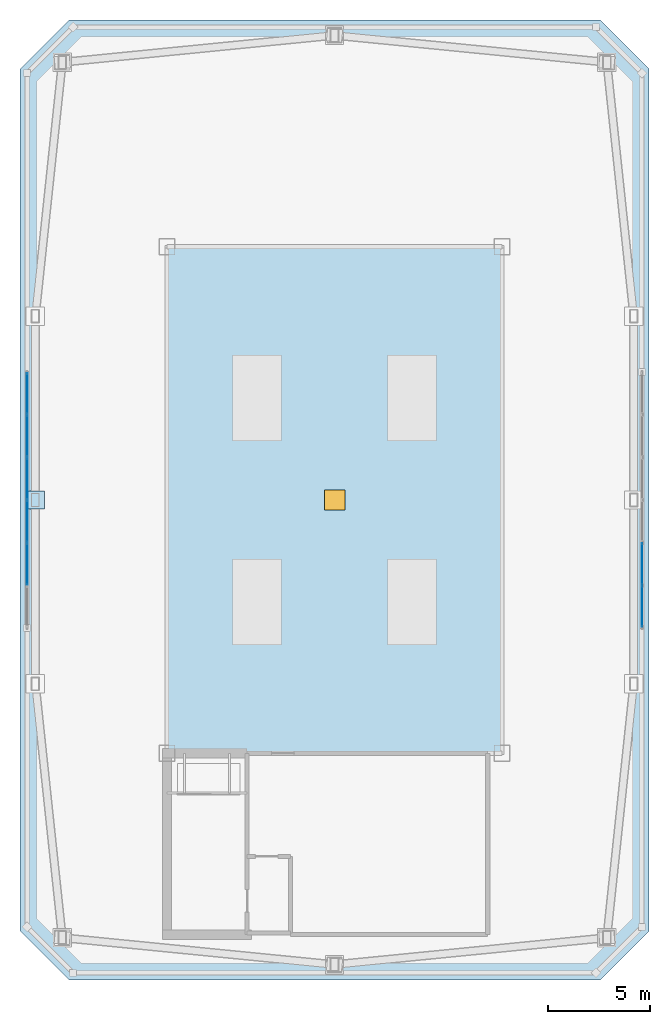
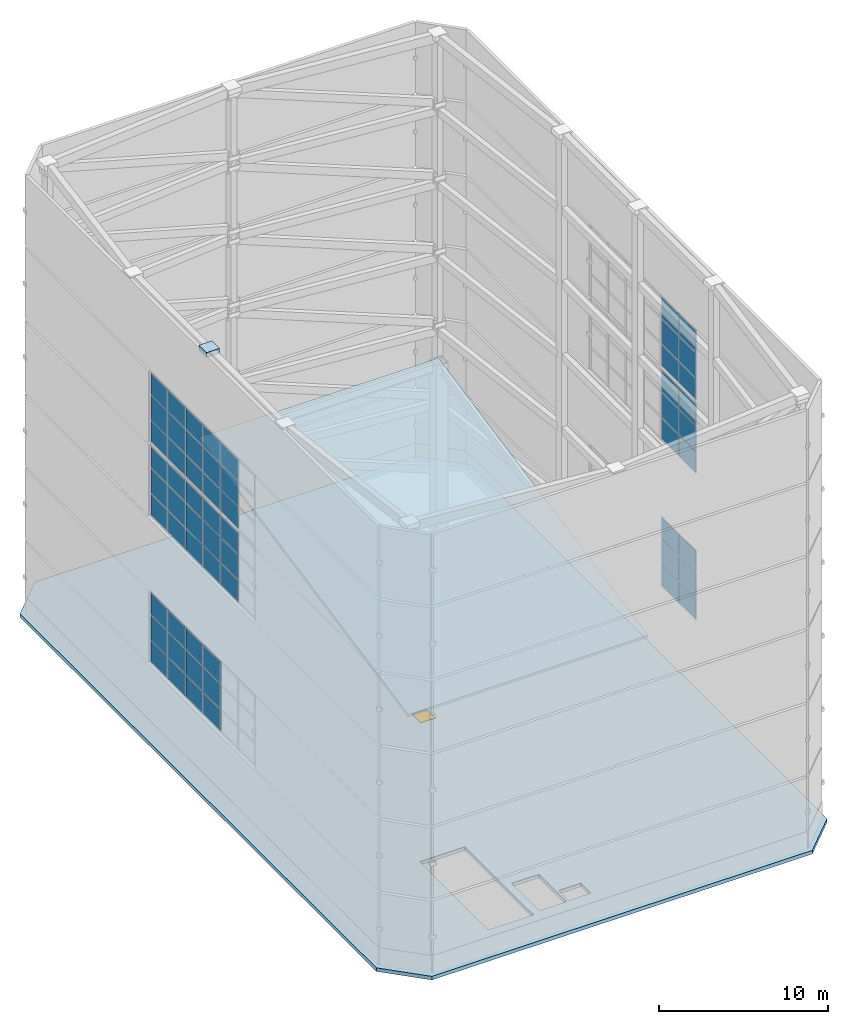
# One storey, part 44 of 47: 61 plates, 2 slabs, 1 door, 1 opening, 6 elements without a shape of their own.
"""IFC4 building model written with IfcOpenShell, lengths in metres."""

import ifcopenshell
import ifcopenshell.guid

model = None  # the IFC model being written
_history = None  # IfcOwnerHistory: only IFC2X3 demands one
_inside = {}  # id of a spatial element -> (the spatial element, [elements in it])
_under = {}  # id of a project, library or spatial element -> (it, [spatial elements below it])
_declared = {}  # id of a project -> (the project, [libraries it declares])
_typed = {}  # id of a type object -> (the type object, [elements of that type])
_made_of = {}  # id of a material, layer set ... -> (it, [elements and type objects made of it])


def new_model(schema):
    """Start an empty IFC model of exactly this schema.

    Asked for "IFC4X3", IfcOpenShell would pick the latest addendum, in which some entities
    have other attributes; the version numbers below select the first issue.
    IFC2X3 requires an IfcOwnerHistory on every rooted entity: one is made here for all.
    """
    global model, _history
    if schema == "IFC4X3":
        model = ifcopenshell.file(schema_version=(4, 3, 0, 0))
    else:
        model = ifcopenshell.file(schema=schema)
    _inside.clear()
    _under.clear()
    _declared.clear()
    _typed.clear()
    _made_of.clear()
    _history = None
    if model.schema == "IFC2X3":
        org = make("IfcOrganization", Name="unknown")
        user = make(
            "IfcPersonAndOrganization",
            ThePerson=make("IfcPerson", FamilyName="unknown"),
            TheOrganization=org,
        )
        app = make(
            "IfcApplication",
            ApplicationDeveloper=org,
            Version="unknown",
            ApplicationFullName="unknown",
            ApplicationIdentifier="unknown",
        )
        _history = make(
            "IfcOwnerHistory",
            OwningUser=user,
            OwningApplication=app,
            ChangeAction="ADDED",
            CreationDate=0,
        )
    return model


def make(cls, **values):
    """One entity of the class cls with the attributes given. An attribute that is None is left unset."""
    return model.create_entity(
        cls, **{name: value for name, value in values.items() if value is not None}
    )


def rooted(cls, **values):
    """An entity with a GlobalId (a new one), such as an element, a storey or a relation."""
    return make(cls, GlobalId=ifcopenshell.guid.new(), OwnerHistory=_history, **values)


def si_unit(unit_type, name, prefix=None):
    """IfcSIUnit, for example si_unit("LENGTHUNIT", "METRE", prefix="MILLI")."""
    return make("IfcSIUnit", UnitType=unit_type, Prefix=prefix, Name=name)


def assignment(units):
    """IfcUnitAssignment: the units of a project."""
    return None if units is None else make("IfcUnitAssignment", Units=units)


def point(xyz):
    """IfcCartesianPoint."""
    return None if xyz is None else make("IfcCartesianPoint", Coordinates=xyz)


def direction(xyz):
    """IfcDirection."""
    return None if xyz is None else make("IfcDirection", DirectionRatios=xyz)


def frame(location, z_axis=None, x_axis=None):
    """IfcAxis2Placement3D, a coordinate frame: its origin and axes. An axis left out is left unset."""
    return make(
        "IfcAxis2Placement3D",
        Location=point(location),
        Axis=direction(z_axis),
        RefDirection=direction(x_axis),
    )


def frame_2d(location, x_axis=None):
    """IfcAxis2Placement2D, a coordinate frame in the plane: its origin and x axis."""
    return make(
        "IfcAxis2Placement2D", Location=point(location), RefDirection=direction(x_axis)
    )


def origin():
    """The frame at (0, 0, 0) with its axes left unset."""
    return frame((0.0, 0.0, 0.0))


def origin_2d():
    """The frame at (0, 0) in the plane with its x axis left unset."""
    return frame_2d((0.0, 0.0))


def place(relative_to, where):
    """IfcLocalPlacement: puts the frame where relative to a parent placement (None: the world)."""
    return make(
        "IfcLocalPlacement", PlacementRelTo=relative_to, RelativePlacement=where
    )


def context(
    kind, dimensions, precision=None, world=None, true_north=None, identifier=None
):
    """IfcGeometricRepresentationContext, for example the 3D "Model" context."""
    return make(
        "IfcGeometricRepresentationContext",
        ContextIdentifier=identifier,
        ContextType=kind,
        CoordinateSpaceDimension=dimensions,
        Precision=precision,
        WorldCoordinateSystem=world,
        TrueNorth=true_north,
    )


def subcontext(parent, identifier, kind, view, scale=None):
    """IfcGeometricRepresentationSubContext, for example "Body" below "Model"."""
    return make(
        "IfcGeometricRepresentationSubContext",
        ContextIdentifier=identifier,
        ContextType=kind,
        ParentContext=parent,
        TargetScale=scale,
        TargetView=view,
    )


def project(units=None, contexts=None):
    """IfcProject with its units and contexts."""
    return rooted(
        "IfcProject",
        Name="project",
        RepresentationContexts=contexts,
        UnitsInContext=assignment(units),
    )


def spatial(cls, under=None, at=None, **own):
    """A site, building, storey or space (cls), placed at a placement, below another one or the project."""
    s = rooted(cls, ObjectPlacement=at, **own)
    if under is not None:
        _under.setdefault(under.id(), (under, []))[1].append(s)
    return s


def polyline(points):
    """IfcPolyline through the points."""
    return make("IfcPolyline", Points=[point(p) for p in points])


def profile(cls, at=None, kind="AREA", **sizes):
    """A parametric profile (cls). Its sizes go by their IFC names, for example OverallWidth=200.0."""
    return make(cls, ProfileType=kind, Position=at, **sizes)


def rectangle(**sizes):
    """IfcRectangleProfileDef."""
    return profile("IfcRectangleProfileDef", **sizes)


def outline(outer, holes=None, kind="AREA"):
    """IfcArbitraryClosedProfileDef: a profile drawn as a closed curve; with holes, ...WithVoids."""
    if holes is None:
        return make("IfcArbitraryClosedProfileDef", ProfileType=kind, OuterCurve=outer)
    return make(
        "IfcArbitraryProfileDefWithVoids",
        ProfileType=kind,
        OuterCurve=outer,
        InnerCurves=holes,
    )


def extrude(swept, where, along, depth):
    """IfcExtrudedAreaSolid: the profile swept, set in the frame where, extruded along a direction by depth."""
    return make(
        "IfcExtrudedAreaSolid",
        SweptArea=swept,
        Position=where,
        ExtrudedDirection=direction(along),
        Depth=depth,
    )


def shape(context_of_items, identifier, shape_type, items):
    """IfcShapeRepresentation: the items that make up one representation, for example the "Body"."""
    return make(
        "IfcShapeRepresentation",
        ContextOfItems=context_of_items,
        RepresentationIdentifier=identifier,
        RepresentationType=shape_type,
        Items=items,
    )


def material(Name=None, Category=None):
    """IfcMaterial."""
    return make("IfcMaterial", Name=Name, Category=Category)


def layer(
    of_material, thickness, ventilated=None, Name=None, Category=None, Priority=None
):
    """IfcMaterialLayer: one layer of a wall or slab, of a material (None: an air gap)."""
    return make(
        "IfcMaterialLayer",
        Material=of_material,
        LayerThickness=thickness,
        IsVentilated=ventilated,
        Name=Name,
        Category=Category,
        Priority=Priority,
    )


def layer_set(layers, Name=None):
    """IfcMaterialLayerSet."""
    return make("IfcMaterialLayerSet", MaterialLayers=layers, LayerSetName=Name)


def made_of(thing, what):
    """Note that an element or type object is made of a material, layer set ...; save() writes the relation."""
    if what is not None:
        _made_of.setdefault(what.id(), (what, []))[1].append(thing)
    return thing


def type_object(cls, material=None, **own):
    """A type object (cls), such as IfcWallType, which elements share."""
    return made_of(rooted(cls, **own), material)


def element(
    cls,
    number,
    at=None,
    inside=None,
    cuts=None,
    type_object=None,
    material=None,
    context=None,
    identifier="Body",
    shape_type=None,
    held_by="IfcProductDefinitionShape",
    body=None,
    shapes=None,
    **own,
):
    """One element of the class cls, such as IfcWall. Its Tag is "e" and its number.

    at: its placement. inside: the storey or other place that contains it. cuts: it is an
    opening in that element (IfcRelVoidsElement). A single representation is given by context,
    identifier, shape_type and body (its items); several are given by shapes. held_by: the class
    of the entity that holds the representations. save() writes the other relations.
    """
    e = rooted(cls, Tag="e%d" % number, ObjectPlacement=at, **own)
    if body is not None:
        shapes = [shape(context, identifier, shape_type, body)]
    if shapes is not None:
        e.Representation = make(held_by, Representations=shapes)
    if inside is not None:
        _inside.setdefault(inside.id(), (inside, []))[1].append(e)
    if cuts is not None:
        rooted(
            "IfcRelVoidsElement", RelatingBuildingElement=cuts, RelatedOpeningElement=e
        )
    if type_object is not None:
        _typed.setdefault(type_object.id(), (type_object, []))[1].append(e)
    return made_of(e, material)


def fill(opening, filler):
    """IfcRelFillsElement: the door or window that sits in an opening."""
    return rooted(
        "IfcRelFillsElement",
        RelatingOpeningElement=opening,
        RelatedBuildingElement=filler,
    )


def aggregate(whole, parts):
    """IfcRelAggregates: a whole, such as a stair, and the parts it consists of."""
    return rooted("IfcRelAggregates", RelatingObject=whole, RelatedObjects=parts)


def save(model, path):
    """Write the relations noted so far, then the file.

    IfcRelAggregates (storeys below a building ...), IfcRelContainedInSpatialStructure (elements
    in a storey), IfcRelDefinesByType, IfcRelAssociatesMaterial and IfcRelDeclares: one each for
    every whole, place, type object, material and project.
    """
    for whole, parts in _under.values():
        aggregate(whole, parts)
    for where, things in _inside.values():
        rooted(
            "IfcRelContainedInSpatialStructure",
            RelatedElements=things,
            RelatingStructure=where,
        )
    for kind, things in _typed.values():
        rooted("IfcRelDefinesByType", RelatedObjects=things, RelatingType=kind)
    for what, things in _made_of.values():
        rooted("IfcRelAssociatesMaterial", RelatedObjects=things, RelatingMaterial=what)
    for by, libraries in _declared.values():
        rooted("IfcRelDeclares", RelatingContext=by, RelatedDefinitions=libraries)
    model.write(path)


model = new_model("IFC4")

# Units and contexts
model_context = context("Model", 3, precision=1e-05, world=origin(), true_north=direction((0.0, 1.0)))
body_context = subcontext(model_context, "Body", "Model", "MODEL_VIEW")
ifc_project = project(units=[si_unit("LENGTHUNIT", "METRE"), si_unit("AREAUNIT", "SQUARE_METRE"), si_unit("VOLUMEUNIT", "CUBIC_METRE"), si_unit("PLANEANGLEUNIT", "RADIAN"), si_unit("MASSUNIT", "GRAM", prefix="KILO")], contexts=[model_context])

# Site, building, storey
site_placement = place(None, origin())
site = spatial("IfcSite", under=ifc_project, at=site_placement, CompositionType="ELEMENT")
building_placement = place(site_placement, origin())
building = spatial("IfcBuilding", under=site, at=building_placement, Name="Qiaolan Cultural Towers", CompositionType="ELEMENT")
storey_placement = place(building_placement, frame((0.0, 0.0, 280.199951171875)))
storey = spatial("IfcBuildingStorey", under=building, at=storey_placement, Name="RF", CompositionType="ELEMENT", Elevation=280.199951171875)

# Curtain wall, plates
ifc_material_1 = material(Name="Unitized Anodized Aluminium Curtain Wall System", Category="aluminium")
ifc_layer_1 = layer(ifc_material_1, 0.199951171875)
ifc_layer_set_1 = layer_set([ifc_layer_1], Name="Unitized Anodized Aluminium Curtain Wall System")
curtain_wall_type = type_object("IfcCurtainWallType", Name="CWS-06", PredefinedType="NOTDEFINED", material=ifc_layer_set_1)
curtain_wall_1_placement = place(storey_placement, origin())
curtain_wall_1 = element("IfcCurtainWall", 1, at=curtain_wall_1_placement, inside=storey, type_object=curtain_wall_type, Name="T1 Crown Tier 2 Fritted Screen Curtain Wall 3", PredefinedType="NOTDEFINED")
ifc_material_2 = material(Name="Laminated Low-E Insulating Glass Unit", Category="glass")
ifc_layer_2 = layer(ifc_material_2, 0.035888671875)
ifc_layer_set_2 = layer_set([ifc_layer_2], Name="Laminated Low-E Insulating Glass Unit")
plate_type_1 = type_object("IfcPlateType", Name="CWS-06-PNL", PredefinedType="CURTAIN_PANEL", material=ifc_layer_set_2)
plate_1_placement = place(storey_placement, frame((45.050048828125, 28.793701171875, 5.46484375), z_axis=(0.0, 0.0, 1.0), x_axis=(0.0, 1.0, 0.0)))
plate_1 = element("IfcPlate", 2, at=plate_1_placement, type_object=plate_type_1, Name="CW-6 panel 1.1", PredefinedType="CURTAIN_PANEL", context=body_context, shape_type="SweptSolid", body=[
    extrude(rectangle(XDim=1.9775390625, YDim=0.035888671875, at=origin_2d()), origin(), (0.0, 0.0, 1.0), 1.532470703125),
])
plate_2_placement = place(storey_placement, frame((45.050048828125, 28.793701171875, 7.0625), z_axis=(0.0, 0.0, 1.0), x_axis=(0.0, 1.0, 0.0)))
plate_2 = element("IfcPlate", 3, at=plate_2_placement, type_object=plate_type_1, Name="CW-6 panel 1.2", PredefinedType="CURTAIN_PANEL", context=body_context, shape_type="SweptSolid", body=[
    extrude(rectangle(XDim=1.9775390625, YDim=0.035888671875, at=origin_2d()), origin(), (0.0, 0.0, 1.0), 1.77490234375),
])
plate_3_placement = place(storey_placement, frame((45.050048828125, 28.793701171875, 8.90234375), z_axis=(0.0, 0.0, 1.0), x_axis=(0.0, 1.0, 0.0)))
plate_3 = element("IfcPlate", 4, at=plate_3_placement, type_object=plate_type_1, Name="CW-6 panel 1.3", PredefinedType="CURTAIN_PANEL", context=body_context, shape_type="SweptSolid", body=[
    extrude(rectangle(XDim=1.9775390625, YDim=0.035888671875, at=origin_2d()), origin(), (0.0, 0.0, 1.0), 1.532470703125),
])
plate_4_placement = place(storey_placement, frame((45.050048828125, 30.864990234375, 5.46484375), z_axis=(0.0, 0.0, 1.0), x_axis=(0.0, 1.0, 0.0)))
plate_4 = element("IfcPlate", 5, at=plate_4_placement, type_object=plate_type_1, Name="CW-6 panel 2.1", PredefinedType="CURTAIN_PANEL", context=body_context, shape_type="SweptSolid", body=[
    extrude(rectangle(XDim=2.014892578125, YDim=0.035888671875, at=origin_2d()), origin(), (0.0, 0.0, 1.0), 1.532470703125),
])
plate_5_placement = place(storey_placement, frame((45.050048828125, 30.864990234375, 7.0625), z_axis=(0.0, 0.0, 1.0), x_axis=(0.0, 1.0, 0.0)))
plate_5 = element("IfcPlate", 6, at=plate_5_placement, type_object=plate_type_1, Name="CW-6 panel 2.2", PredefinedType="CURTAIN_PANEL", context=body_context, shape_type="SweptSolid", body=[
    extrude(rectangle(XDim=2.014892578125, YDim=0.035888671875, at=origin_2d()), origin(), (0.0, 0.0, 1.0), 1.77490234375),
])
plate_6_placement = place(storey_placement, frame((45.050048828125, 30.864990234375, 8.90234375), z_axis=(0.0, 0.0, 1.0), x_axis=(0.0, 1.0, 0.0)))
plate_6 = element("IfcPlate", 7, at=plate_6_placement, type_object=plate_type_1, Name="CW-6 panel 2.3", PredefinedType="CURTAIN_PANEL", context=body_context, shape_type="SweptSolid", body=[
    extrude(rectangle(XDim=2.014892578125, YDim=0.035888671875, at=origin_2d()), origin(), (0.0, 0.0, 1.0), 1.532470703125),
])
aggregate(curtain_wall_1, [plate_1, plate_2, plate_3, plate_4, plate_5, plate_6])

curtain_wall_2_placement = place(storey_placement, origin())
curtain_wall_2 = element("IfcCurtainWall", 8, at=curtain_wall_2_placement, inside=storey, type_object=curtain_wall_type, Name="T1 Crown Tier 2 Fritted Screen Curtain Wall 7", PredefinedType="NOTDEFINED")
plate_7_placement = place(storey_placement, frame((14.949951171875, 39.206298828125, 5.46484375), z_axis=(0.0, 0.0, 1.0), x_axis=(0.0, -1.0, 0.0)))
plate_7 = element("IfcPlate", 9, at=plate_7_placement, type_object=plate_type_1, Name="CW-6 panel 1.1", PredefinedType="CURTAIN_PANEL", context=body_context, shape_type="SweptSolid", body=[
    extrude(rectangle(XDim=1.9775390625, YDim=0.035888671875, at=origin_2d()), origin(), (0.0, 0.0, 1.0), 1.532470703125),
])
plate_8_placement = place(storey_placement, frame((14.949951171875, 39.206298828125, 7.0625), z_axis=(0.0, 0.0, 1.0), x_axis=(0.0, -1.0, 0.0)))
plate_8 = element("IfcPlate", 10, at=plate_8_placement, type_object=plate_type_1, Name="CW-6 panel 1.2", PredefinedType="CURTAIN_PANEL", context=body_context, shape_type="SweptSolid", body=[
    extrude(rectangle(XDim=1.9775390625, YDim=0.035888671875, at=origin_2d()), origin(), (0.0, 0.0, 1.0), 1.77490234375),
])
plate_9_placement = place(storey_placement, frame((14.949951171875, 39.206298828125, 8.90234375), z_axis=(0.0, 0.0, 1.0), x_axis=(0.0, -1.0, 0.0)))
plate_9 = element("IfcPlate", 11, at=plate_9_placement, type_object=plate_type_1, Name="CW-6 panel 1.3", PredefinedType="CURTAIN_PANEL", context=body_context, shape_type="SweptSolid", body=[
    extrude(rectangle(XDim=1.9775390625, YDim=0.035888671875, at=origin_2d()), origin(), (0.0, 0.0, 1.0), 1.532470703125),
])
plate_10_placement = place(storey_placement, frame((14.949951171875, 37.135009765625, 5.46484375), z_axis=(0.0, 0.0, 1.0), x_axis=(0.0, -1.0, 0.0)))
plate_10 = element("IfcPlate", 12, at=plate_10_placement, type_object=plate_type_1, Name="CW-6 panel 2.1", PredefinedType="CURTAIN_PANEL", context=body_context, shape_type="SweptSolid", body=[
    extrude(rectangle(XDim=2.014892578125, YDim=0.035888671875, at=origin_2d()), origin(), (0.0, 0.0, 1.0), 1.532470703125),
])
plate_11_placement = place(storey_placement, frame((14.949951171875, 37.135009765625, 7.0625), z_axis=(0.0, 0.0, 1.0), x_axis=(0.0, -1.0, 0.0)))
plate_11 = element("IfcPlate", 13, at=plate_11_placement, type_object=plate_type_1, Name="CW-6 panel 2.2", PredefinedType="CURTAIN_PANEL", context=body_context, shape_type="SweptSolid", body=[
    extrude(rectangle(XDim=2.014892578125, YDim=0.035888671875, at=origin_2d()), origin(), (0.0, 0.0, 1.0), 1.77490234375),
])
plate_12_placement = place(storey_placement, frame((14.949951171875, 37.135009765625, 8.90234375), z_axis=(0.0, 0.0, 1.0), x_axis=(0.0, -1.0, 0.0)))
plate_12 = element("IfcPlate", 14, at=plate_12_placement, type_object=plate_type_1, Name="CW-6 panel 2.3", PredefinedType="CURTAIN_PANEL", context=body_context, shape_type="SweptSolid", body=[
    extrude(rectangle(XDim=2.014892578125, YDim=0.035888671875, at=origin_2d()), origin(), (0.0, 0.0, 1.0), 1.532470703125),
])
plate_13_placement = place(storey_placement, frame((14.949951171875, 35.044921875, 5.46484375), z_axis=(0.0, 0.0, 1.0), x_axis=(0.0, -1.0, 0.0)))
plate_13 = element("IfcPlate", 15, at=plate_13_placement, type_object=plate_type_1, Name="CW-6 panel 3.1", PredefinedType="CURTAIN_PANEL", context=body_context, shape_type="SweptSolid", body=[
    extrude(rectangle(XDim=2.014892578125, YDim=0.035888671875, at=origin_2d()), origin(), (0.0, 0.0, 1.0), 1.532470703125),
])
plate_14_placement = place(storey_placement, frame((14.949951171875, 35.044921875, 7.0625), z_axis=(0.0, 0.0, 1.0), x_axis=(0.0, -1.0, 0.0)))
plate_14 = element("IfcPlate", 16, at=plate_14_placement, type_object=plate_type_1, Name="CW-6 panel 3.2", PredefinedType="CURTAIN_PANEL", context=body_context, shape_type="SweptSolid", body=[
    extrude(rectangle(XDim=2.014892578125, YDim=0.035888671875, at=origin_2d()), origin(), (0.0, 0.0, 1.0), 1.77490234375),
])
plate_15_placement = place(storey_placement, frame((14.949951171875, 35.044921875, 8.90234375), z_axis=(0.0, 0.0, 1.0), x_axis=(0.0, -1.0, 0.0)))
plate_15 = element("IfcPlate", 17, at=plate_15_placement, type_object=plate_type_1, Name="CW-6 panel 3.3", PredefinedType="CURTAIN_PANEL", context=body_context, shape_type="SweptSolid", body=[
    extrude(rectangle(XDim=2.014892578125, YDim=0.035888671875, at=origin_2d()), origin(), (0.0, 0.0, 1.0), 1.532470703125),
])
plate_16_placement = place(storey_placement, frame((14.949951171875, 32.955078125, 5.46484375), z_axis=(0.0, 0.0, 1.0), x_axis=(0.0, -1.0, 0.0)))
plate_16 = element("IfcPlate", 18, at=plate_16_placement, type_object=plate_type_1, Name="CW-6 panel 4.1", PredefinedType="CURTAIN_PANEL", context=body_context, shape_type="SweptSolid", body=[
    extrude(rectangle(XDim=2.014892578125, YDim=0.035888671875, at=origin_2d()), origin(), (0.0, 0.0, 1.0), 1.532470703125),
])
plate_17_placement = place(storey_placement, frame((14.949951171875, 32.955078125, 7.0625), z_axis=(0.0, 0.0, 1.0), x_axis=(0.0, -1.0, 0.0)))
plate_17 = element("IfcPlate", 19, at=plate_17_placement, type_object=plate_type_1, Name="CW-6 panel 4.2", PredefinedType="CURTAIN_PANEL", context=body_context, shape_type="SweptSolid", body=[
    extrude(rectangle(XDim=2.014892578125, YDim=0.035888671875, at=origin_2d()), origin(), (0.0, 0.0, 1.0), 1.77490234375),
])
plate_18_placement = place(storey_placement, frame((14.949951171875, 32.955078125, 8.90234375), z_axis=(0.0, 0.0, 1.0), x_axis=(0.0, -1.0, 0.0)))
plate_18 = element("IfcPlate", 20, at=plate_18_placement, type_object=plate_type_1, Name="CW-6 panel 4.3", PredefinedType="CURTAIN_PANEL", context=body_context, shape_type="SweptSolid", body=[
    extrude(rectangle(XDim=2.014892578125, YDim=0.035888671875, at=origin_2d()), origin(), (0.0, 0.0, 1.0), 1.532470703125),
])
aggregate(curtain_wall_2, [plate_7, plate_8, plate_9, plate_10, plate_11, plate_12, plate_13, plate_14, plate_15, plate_16, plate_17, plate_18])

curtain_wall_3_placement = place(storey_placement, origin())
curtain_wall_3 = element("IfcCurtainWall", 21, at=curtain_wall_3_placement, inside=storey, type_object=curtain_wall_type, Name="T1 Crown Tier 4 Fritted Screen Curtain Wall 3", PredefinedType="NOTDEFINED")
plate_19_placement = place(storey_placement, frame((45.050048828125, 28.793701171875, 16.06494140625), z_axis=(0.0, 0.0, 1.0), x_axis=(0.0, 1.0, 0.0)))
plate_19 = element("IfcPlate", 22, at=plate_19_placement, type_object=plate_type_1, Name="CW-6 panel 1.1", PredefinedType="CURTAIN_PANEL", context=body_context, shape_type="SweptSolid", body=[
    extrude(rectangle(XDim=1.9775390625, YDim=0.035888671875, at=origin_2d()), origin(), (0.0, 0.0, 1.0), 1.532470703125),
])
plate_20_placement = place(storey_placement, frame((45.050048828125, 28.793701171875, 17.66259765625), z_axis=(0.0, 0.0, 1.0), x_axis=(0.0, 1.0, 0.0)))
plate_20 = element("IfcPlate", 23, at=plate_20_placement, type_object=plate_type_1, Name="CW-6 panel 1.2", PredefinedType="CURTAIN_PANEL", context=body_context, shape_type="SweptSolid", body=[
    extrude(rectangle(XDim=1.9775390625, YDim=0.035888671875, at=origin_2d()), origin(), (0.0, 0.0, 1.0), 1.77490234375),
])
plate_21_placement = place(storey_placement, frame((45.050048828125, 28.793701171875, 19.50244140625), z_axis=(0.0, 0.0, 1.0), x_axis=(0.0, 1.0, 0.0)))
plate_21 = element("IfcPlate", 24, at=plate_21_placement, type_object=plate_type_1, Name="CW-6 panel 1.3", PredefinedType="CURTAIN_PANEL", context=body_context, shape_type="SweptSolid", body=[
    extrude(rectangle(XDim=1.9775390625, YDim=0.035888671875, at=origin_2d()), origin(), (0.0, 0.0, 1.0), 1.532470703125),
])
plate_22_placement = place(storey_placement, frame((45.050048828125, 30.864990234375, 16.06494140625), z_axis=(0.0, 0.0, 1.0), x_axis=(0.0, 1.0, 0.0)))
plate_22 = element("IfcPlate", 25, at=plate_22_placement, type_object=plate_type_1, Name="CW-6 panel 2.1", PredefinedType="CURTAIN_PANEL", context=body_context, shape_type="SweptSolid", body=[
    extrude(rectangle(XDim=2.014892578125, YDim=0.035888671875, at=origin_2d()), origin(), (0.0, 0.0, 1.0), 1.532470703125),
])
plate_23_placement = place(storey_placement, frame((45.050048828125, 30.864990234375, 17.66259765625), z_axis=(0.0, 0.0, 1.0), x_axis=(0.0, 1.0, 0.0)))
plate_23 = element("IfcPlate", 26, at=plate_23_placement, type_object=plate_type_1, Name="CW-6 panel 2.2", PredefinedType="CURTAIN_PANEL", context=body_context, shape_type="SweptSolid", body=[
    extrude(rectangle(XDim=2.014892578125, YDim=0.035888671875, at=origin_2d()), origin(), (0.0, 0.0, 1.0), 1.77490234375),
])
plate_24_placement = place(storey_placement, frame((45.050048828125, 30.864990234375, 19.50244140625), z_axis=(0.0, 0.0, 1.0), x_axis=(0.0, 1.0, 0.0)))
plate_24 = element("IfcPlate", 27, at=plate_24_placement, type_object=plate_type_1, Name="CW-6 panel 2.3", PredefinedType="CURTAIN_PANEL", context=body_context, shape_type="SweptSolid", body=[
    extrude(rectangle(XDim=2.014892578125, YDim=0.035888671875, at=origin_2d()), origin(), (0.0, 0.0, 1.0), 1.532470703125),
])
aggregate(curtain_wall_3, [plate_19, plate_20, plate_21, plate_22, plate_23, plate_24])

curtain_wall_4_placement = place(storey_placement, origin())
curtain_wall_4 = element("IfcCurtainWall", 28, at=curtain_wall_4_placement, inside=storey, type_object=curtain_wall_type, Name="T1 Crown Tier 4 Fritted Screen Curtain Wall 7", PredefinedType="NOTDEFINED")
plate_25_placement = place(storey_placement, frame((14.949951171875, 39.206298828125, 16.06494140625), z_axis=(0.0, 0.0, 1.0), x_axis=(0.0, -1.0, 0.0)))
plate_25 = element("IfcPlate", 29, at=plate_25_placement, type_object=plate_type_1, Name="CW-6 panel 1.1", PredefinedType="CURTAIN_PANEL", context=body_context, shape_type="SweptSolid", body=[
    extrude(rectangle(XDim=1.9775390625, YDim=0.035888671875, at=origin_2d()), origin(), (0.0, 0.0, 1.0), 1.532470703125),
])
plate_26_placement = place(storey_placement, frame((14.949951171875, 39.206298828125, 17.66259765625), z_axis=(0.0, 0.0, 1.0), x_axis=(0.0, -1.0, 0.0)))
plate_26 = element("IfcPlate", 30, at=plate_26_placement, type_object=plate_type_1, Name="CW-6 panel 1.2", PredefinedType="CURTAIN_PANEL", context=body_context, shape_type="SweptSolid", body=[
    extrude(rectangle(XDim=1.9775390625, YDim=0.035888671875, at=origin_2d()), origin(), (0.0, 0.0, 1.0), 1.77490234375),
])
plate_27_placement = place(storey_placement, frame((14.949951171875, 39.206298828125, 19.50244140625), z_axis=(0.0, 0.0, 1.0), x_axis=(0.0, -1.0, 0.0)))
plate_27 = element("IfcPlate", 31, at=plate_27_placement, type_object=plate_type_1, Name="CW-6 panel 1.3", PredefinedType="CURTAIN_PANEL", context=body_context, shape_type="SweptSolid", body=[
    extrude(rectangle(XDim=1.9775390625, YDim=0.035888671875, at=origin_2d()), origin(), (0.0, 0.0, 1.0), 1.532470703125),
])
plate_28_placement = place(storey_placement, frame((14.949951171875, 37.135009765625, 16.06494140625), z_axis=(0.0, 0.0, 1.0), x_axis=(0.0, -1.0, 0.0)))
plate_28 = element("IfcPlate", 32, at=plate_28_placement, type_object=plate_type_1, Name="CW-6 panel 2.1", PredefinedType="CURTAIN_PANEL", context=body_context, shape_type="SweptSolid", body=[
    extrude(rectangle(XDim=2.014892578125, YDim=0.035888671875, at=origin_2d()), origin(), (0.0, 0.0, 1.0), 1.532470703125),
])
plate_29_placement = place(storey_placement, frame((14.949951171875, 37.135009765625, 17.66259765625), z_axis=(0.0, 0.0, 1.0), x_axis=(0.0, -1.0, 0.0)))
plate_29 = element("IfcPlate", 33, at=plate_29_placement, type_object=plate_type_1, Name="CW-6 panel 2.2", PredefinedType="CURTAIN_PANEL", context=body_context, shape_type="SweptSolid", body=[
    extrude(rectangle(XDim=2.014892578125, YDim=0.035888671875, at=origin_2d()), origin(), (0.0, 0.0, 1.0), 1.77490234375),
])
plate_30_placement = place(storey_placement, frame((14.949951171875, 37.135009765625, 19.50244140625), z_axis=(0.0, 0.0, 1.0), x_axis=(0.0, -1.0, 0.0)))
plate_30 = element("IfcPlate", 34, at=plate_30_placement, type_object=plate_type_1, Name="CW-6 panel 2.3", PredefinedType="CURTAIN_PANEL", context=body_context, shape_type="SweptSolid", body=[
    extrude(rectangle(XDim=2.014892578125, YDim=0.035888671875, at=origin_2d()), origin(), (0.0, 0.0, 1.0), 1.532470703125),
])
plate_31_placement = place(storey_placement, frame((14.949951171875, 35.044921875, 16.06494140625), z_axis=(0.0, 0.0, 1.0), x_axis=(0.0, -1.0, 0.0)))
plate_31 = element("IfcPlate", 35, at=plate_31_placement, type_object=plate_type_1, Name="CW-6 panel 3.1", PredefinedType="CURTAIN_PANEL", context=body_context, shape_type="SweptSolid", body=[
    extrude(rectangle(XDim=2.014892578125, YDim=0.035888671875, at=origin_2d()), origin(), (0.0, 0.0, 1.0), 1.532470703125),
])
plate_32_placement = place(storey_placement, frame((14.949951171875, 35.044921875, 17.66259765625), z_axis=(0.0, 0.0, 1.0), x_axis=(0.0, -1.0, 0.0)))
plate_32 = element("IfcPlate", 36, at=plate_32_placement, type_object=plate_type_1, Name="CW-6 panel 3.2", PredefinedType="CURTAIN_PANEL", context=body_context, shape_type="SweptSolid", body=[
    extrude(rectangle(XDim=2.014892578125, YDim=0.035888671875, at=origin_2d()), origin(), (0.0, 0.0, 1.0), 1.77490234375),
])
plate_33_placement = place(storey_placement, frame((14.949951171875, 35.044921875, 19.50244140625), z_axis=(0.0, 0.0, 1.0), x_axis=(0.0, -1.0, 0.0)))
plate_33 = element("IfcPlate", 37, at=plate_33_placement, type_object=plate_type_1, Name="CW-6 panel 3.3", PredefinedType="CURTAIN_PANEL", context=body_context, shape_type="SweptSolid", body=[
    extrude(rectangle(XDim=2.014892578125, YDim=0.035888671875, at=origin_2d()), origin(), (0.0, 0.0, 1.0), 1.532470703125),
])
plate_34_placement = place(storey_placement, frame((14.949951171875, 32.955078125, 16.06494140625), z_axis=(0.0, 0.0, 1.0), x_axis=(0.0, -1.0, 0.0)))
plate_34 = element("IfcPlate", 38, at=plate_34_placement, type_object=plate_type_1, Name="CW-6 panel 4.1", PredefinedType="CURTAIN_PANEL", context=body_context, shape_type="SweptSolid", body=[
    extrude(rectangle(XDim=2.014892578125, YDim=0.035888671875, at=origin_2d()), origin(), (0.0, 0.0, 1.0), 1.532470703125),
])
plate_35_placement = place(storey_placement, frame((14.949951171875, 32.955078125, 17.66259765625), z_axis=(0.0, 0.0, 1.0), x_axis=(0.0, -1.0, 0.0)))
plate_35 = element("IfcPlate", 39, at=plate_35_placement, type_object=plate_type_1, Name="CW-6 panel 4.2", PredefinedType="CURTAIN_PANEL", context=body_context, shape_type="SweptSolid", body=[
    extrude(rectangle(XDim=2.014892578125, YDim=0.035888671875, at=origin_2d()), origin(), (0.0, 0.0, 1.0), 1.77490234375),
])
plate_36_placement = place(storey_placement, frame((14.949951171875, 32.955078125, 19.50244140625), z_axis=(0.0, 0.0, 1.0), x_axis=(0.0, -1.0, 0.0)))
plate_36 = element("IfcPlate", 40, at=plate_36_placement, type_object=plate_type_1, Name="CW-6 panel 4.3", PredefinedType="CURTAIN_PANEL", context=body_context, shape_type="SweptSolid", body=[
    extrude(rectangle(XDim=2.014892578125, YDim=0.035888671875, at=origin_2d()), origin(), (0.0, 0.0, 1.0), 1.532470703125),
])
plate_37_placement = place(storey_placement, frame((14.949951171875, 30.864990234375, 16.06494140625), z_axis=(0.0, 0.0, 1.0), x_axis=(0.0, -1.0, 0.0)))
plate_37 = element("IfcPlate", 41, at=plate_37_placement, type_object=plate_type_1, Name="CW-6 panel 5.1", PredefinedType="CURTAIN_PANEL", context=body_context, shape_type="SweptSolid", body=[
    extrude(rectangle(XDim=2.014892578125, YDim=0.035888671875, at=origin_2d()), origin(), (0.0, 0.0, 1.0), 1.532470703125),
])
plate_38_placement = place(storey_placement, frame((14.949951171875, 30.864990234375, 17.66259765625), z_axis=(0.0, 0.0, 1.0), x_axis=(0.0, -1.0, 0.0)))
plate_38 = element("IfcPlate", 42, at=plate_38_placement, type_object=plate_type_1, Name="CW-6 panel 5.2", PredefinedType="CURTAIN_PANEL", context=body_context, shape_type="SweptSolid", body=[
    extrude(rectangle(XDim=2.014892578125, YDim=0.035888671875, at=origin_2d()), origin(), (0.0, 0.0, 1.0), 1.77490234375),
])
plate_39_placement = place(storey_placement, frame((14.949951171875, 30.864990234375, 19.50244140625), z_axis=(0.0, 0.0, 1.0), x_axis=(0.0, -1.0, 0.0)))
plate_39 = element("IfcPlate", 43, at=plate_39_placement, type_object=plate_type_1, Name="CW-6 panel 5.3", PredefinedType="CURTAIN_PANEL", context=body_context, shape_type="SweptSolid", body=[
    extrude(rectangle(XDim=2.014892578125, YDim=0.035888671875, at=origin_2d()), origin(), (0.0, 0.0, 1.0), 1.532470703125),
])
aggregate(curtain_wall_4, [plate_25, plate_26, plate_27, plate_28, plate_29, plate_30, plate_31, plate_32, plate_33, plate_34, plate_35, plate_36, plate_37, plate_38, plate_39])

curtain_wall_5_placement = place(storey_placement, origin())
curtain_wall_5 = element("IfcCurtainWall", 44, at=curtain_wall_5_placement, inside=storey, type_object=curtain_wall_type, Name="T1 Crown Tier 5 Fritted Screen Curtain Wall 3", PredefinedType="NOTDEFINED")
plate_40_placement = place(storey_placement, frame((45.050048828125, 28.793701171875, 21.365234375), z_axis=(0.0, 0.0, 1.0), x_axis=(0.0, 1.0, 0.0)))
plate_40 = element("IfcPlate", 45, at=plate_40_placement, type_object=plate_type_1, Name="CW-6 panel 1.1", PredefinedType="CURTAIN_PANEL", context=body_context, shape_type="SweptSolid", body=[
    extrude(rectangle(XDim=1.9775390625, YDim=0.035888671875, at=origin_2d()), origin(), (0.0, 0.0, 1.0), 1.532470703125),
])
plate_41_placement = place(storey_placement, frame((45.050048828125, 28.793701171875, 22.962646484375), z_axis=(0.0, 0.0, 1.0), x_axis=(0.0, 1.0, 0.0)))
plate_41 = element("IfcPlate", 46, at=plate_41_placement, type_object=plate_type_1, Name="CW-6 panel 1.2", PredefinedType="CURTAIN_PANEL", context=body_context, shape_type="SweptSolid", body=[
    extrude(rectangle(XDim=1.9775390625, YDim=0.035888671875, at=origin_2d()), origin(), (0.0, 0.0, 1.0), 1.77490234375),
])
plate_42_placement = place(storey_placement, frame((45.050048828125, 28.793701171875, 24.802734375), z_axis=(0.0, 0.0, 1.0), x_axis=(0.0, 1.0, 0.0)))
plate_42 = element("IfcPlate", 47, at=plate_42_placement, type_object=plate_type_1, Name="CW-6 panel 1.3", PredefinedType="CURTAIN_PANEL", context=body_context, shape_type="SweptSolid", body=[
    extrude(rectangle(XDim=1.9775390625, YDim=0.035888671875, at=origin_2d()), origin(), (0.0, 0.0, 1.0), 1.532470703125),
])
plate_43_placement = place(storey_placement, frame((45.050048828125, 30.864990234375, 21.365234375), z_axis=(0.0, 0.0, 1.0), x_axis=(0.0, 1.0, 0.0)))
plate_43 = element("IfcPlate", 48, at=plate_43_placement, type_object=plate_type_1, Name="CW-6 panel 2.1", PredefinedType="CURTAIN_PANEL", context=body_context, shape_type="SweptSolid", body=[
    extrude(rectangle(XDim=2.014892578125, YDim=0.035888671875, at=origin_2d()), origin(), (0.0, 0.0, 1.0), 1.532470703125),
])
plate_44_placement = place(storey_placement, frame((45.050048828125, 30.864990234375, 22.962646484375), z_axis=(0.0, 0.0, 1.0), x_axis=(0.0, 1.0, 0.0)))
plate_44 = element("IfcPlate", 49, at=plate_44_placement, type_object=plate_type_1, Name="CW-6 panel 2.2", PredefinedType="CURTAIN_PANEL", context=body_context, shape_type="SweptSolid", body=[
    extrude(rectangle(XDim=2.014892578125, YDim=0.035888671875, at=origin_2d()), origin(), (0.0, 0.0, 1.0), 1.77490234375),
])
plate_45_placement = place(storey_placement, frame((45.050048828125, 30.864990234375, 24.802734375), z_axis=(0.0, 0.0, 1.0), x_axis=(0.0, 1.0, 0.0)))
plate_45 = element("IfcPlate", 50, at=plate_45_placement, type_object=plate_type_1, Name="CW-6 panel 2.3", PredefinedType="CURTAIN_PANEL", context=body_context, shape_type="SweptSolid", body=[
    extrude(rectangle(XDim=2.014892578125, YDim=0.035888671875, at=origin_2d()), origin(), (0.0, 0.0, 1.0), 1.532470703125),
])
aggregate(curtain_wall_5, [plate_40, plate_41, plate_42, plate_43, plate_44, plate_45])

curtain_wall_6_placement = place(storey_placement, origin())
curtain_wall_6 = element("IfcCurtainWall", 51, at=curtain_wall_6_placement, inside=storey, type_object=curtain_wall_type, Name="T1 Crown Tier 5 Fritted Screen Curtain Wall 7", PredefinedType="NOTDEFINED")
plate_46_placement = place(storey_placement, frame((14.949951171875, 39.206298828125, 21.365234375), z_axis=(0.0, 0.0, 1.0), x_axis=(0.0, -1.0, 0.0)))
plate_46 = element("IfcPlate", 52, at=plate_46_placement, type_object=plate_type_1, Name="CW-6 panel 1.1", PredefinedType="CURTAIN_PANEL", context=body_context, shape_type="SweptSolid", body=[
    extrude(rectangle(XDim=1.9775390625, YDim=0.035888671875, at=origin_2d()), origin(), (0.0, 0.0, 1.0), 1.532470703125),
])
plate_47_placement = place(storey_placement, frame((14.949951171875, 39.206298828125, 22.962646484375), z_axis=(0.0, 0.0, 1.0), x_axis=(0.0, -1.0, 0.0)))
plate_47 = element("IfcPlate", 53, at=plate_47_placement, type_object=plate_type_1, Name="CW-6 panel 1.2", PredefinedType="CURTAIN_PANEL", context=body_context, shape_type="SweptSolid", body=[
    extrude(rectangle(XDim=1.9775390625, YDim=0.035888671875, at=origin_2d()), origin(), (0.0, 0.0, 1.0), 1.77490234375),
])
plate_48_placement = place(storey_placement, frame((14.949951171875, 39.206298828125, 24.802734375), z_axis=(0.0, 0.0, 1.0), x_axis=(0.0, -1.0, 0.0)))
plate_48 = element("IfcPlate", 54, at=plate_48_placement, type_object=plate_type_1, Name="CW-6 panel 1.3", PredefinedType="CURTAIN_PANEL", context=body_context, shape_type="SweptSolid", body=[
    extrude(rectangle(XDim=1.9775390625, YDim=0.035888671875, at=origin_2d()), origin(), (0.0, 0.0, 1.0), 1.532470703125),
])
plate_49_placement = place(storey_placement, frame((14.949951171875, 37.135009765625, 21.365234375), z_axis=(0.0, 0.0, 1.0), x_axis=(0.0, -1.0, 0.0)))
plate_49 = element("IfcPlate", 55, at=plate_49_placement, type_object=plate_type_1, Name="CW-6 panel 2.1", PredefinedType="CURTAIN_PANEL", context=body_context, shape_type="SweptSolid", body=[
    extrude(rectangle(XDim=2.014892578125, YDim=0.035888671875, at=origin_2d()), origin(), (0.0, 0.0, 1.0), 1.532470703125),
])
plate_50_placement = place(storey_placement, frame((14.949951171875, 37.135009765625, 22.962646484375), z_axis=(0.0, 0.0, 1.0), x_axis=(0.0, -1.0, 0.0)))
plate_50 = element("IfcPlate", 56, at=plate_50_placement, type_object=plate_type_1, Name="CW-6 panel 2.2", PredefinedType="CURTAIN_PANEL", context=body_context, shape_type="SweptSolid", body=[
    extrude(rectangle(XDim=2.014892578125, YDim=0.035888671875, at=origin_2d()), origin(), (0.0, 0.0, 1.0), 1.77490234375),
])
plate_51_placement = place(storey_placement, frame((14.949951171875, 37.135009765625, 24.802734375), z_axis=(0.0, 0.0, 1.0), x_axis=(0.0, -1.0, 0.0)))
plate_51 = element("IfcPlate", 57, at=plate_51_placement, type_object=plate_type_1, Name="CW-6 panel 2.3", PredefinedType="CURTAIN_PANEL", context=body_context, shape_type="SweptSolid", body=[
    extrude(rectangle(XDim=2.014892578125, YDim=0.035888671875, at=origin_2d()), origin(), (0.0, 0.0, 1.0), 1.532470703125),
])
plate_52_placement = place(storey_placement, frame((14.949951171875, 35.044921875, 21.365234375), z_axis=(0.0, 0.0, 1.0), x_axis=(0.0, -1.0, 0.0)))
plate_52 = element("IfcPlate", 58, at=plate_52_placement, type_object=plate_type_1, Name="CW-6 panel 3.1", PredefinedType="CURTAIN_PANEL", context=body_context, shape_type="SweptSolid", body=[
    extrude(rectangle(XDim=2.014892578125, YDim=0.035888671875, at=origin_2d()), origin(), (0.0, 0.0, 1.0), 1.532470703125),
])
plate_53_placement = place(storey_placement, frame((14.949951171875, 35.044921875, 22.962646484375), z_axis=(0.0, 0.0, 1.0), x_axis=(0.0, -1.0, 0.0)))
plate_53 = element("IfcPlate", 59, at=plate_53_placement, type_object=plate_type_1, Name="CW-6 panel 3.2", PredefinedType="CURTAIN_PANEL", context=body_context, shape_type="SweptSolid", body=[
    extrude(rectangle(XDim=2.014892578125, YDim=0.035888671875, at=origin_2d()), origin(), (0.0, 0.0, 1.0), 1.77490234375),
])
plate_54_placement = place(storey_placement, frame((14.949951171875, 35.044921875, 24.802734375), z_axis=(0.0, 0.0, 1.0), x_axis=(0.0, -1.0, 0.0)))
plate_54 = element("IfcPlate", 60, at=plate_54_placement, type_object=plate_type_1, Name="CW-6 panel 3.3", PredefinedType="CURTAIN_PANEL", context=body_context, shape_type="SweptSolid", body=[
    extrude(rectangle(XDim=2.014892578125, YDim=0.035888671875, at=origin_2d()), origin(), (0.0, 0.0, 1.0), 1.532470703125),
])
plate_55_placement = place(storey_placement, frame((14.949951171875, 32.955078125, 21.365234375), z_axis=(0.0, 0.0, 1.0), x_axis=(0.0, -1.0, 0.0)))
plate_55 = element("IfcPlate", 61, at=plate_55_placement, type_object=plate_type_1, Name="CW-6 panel 4.1", PredefinedType="CURTAIN_PANEL", context=body_context, shape_type="SweptSolid", body=[
    extrude(rectangle(XDim=2.014892578125, YDim=0.035888671875, at=origin_2d()), origin(), (0.0, 0.0, 1.0), 1.532470703125),
])
plate_56_placement = place(storey_placement, frame((14.949951171875, 32.955078125, 22.962646484375), z_axis=(0.0, 0.0, 1.0), x_axis=(0.0, -1.0, 0.0)))
plate_56 = element("IfcPlate", 62, at=plate_56_placement, type_object=plate_type_1, Name="CW-6 panel 4.2", PredefinedType="CURTAIN_PANEL", context=body_context, shape_type="SweptSolid", body=[
    extrude(rectangle(XDim=2.014892578125, YDim=0.035888671875, at=origin_2d()), origin(), (0.0, 0.0, 1.0), 1.77490234375),
])
plate_57_placement = place(storey_placement, frame((14.949951171875, 32.955078125, 24.802734375), z_axis=(0.0, 0.0, 1.0), x_axis=(0.0, -1.0, 0.0)))
plate_57 = element("IfcPlate", 63, at=plate_57_placement, type_object=plate_type_1, Name="CW-6 panel 4.3", PredefinedType="CURTAIN_PANEL", context=body_context, shape_type="SweptSolid", body=[
    extrude(rectangle(XDim=2.014892578125, YDim=0.035888671875, at=origin_2d()), origin(), (0.0, 0.0, 1.0), 1.532470703125),
])
plate_58_placement = place(storey_placement, frame((14.949951171875, 30.864990234375, 21.365234375), z_axis=(0.0, 0.0, 1.0), x_axis=(0.0, -1.0, 0.0)))
plate_58 = element("IfcPlate", 64, at=plate_58_placement, type_object=plate_type_1, Name="CW-6 panel 5.1", PredefinedType="CURTAIN_PANEL", context=body_context, shape_type="SweptSolid", body=[
    extrude(rectangle(XDim=2.014892578125, YDim=0.035888671875, at=origin_2d()), origin(), (0.0, 0.0, 1.0), 1.532470703125),
])
plate_59_placement = place(storey_placement, frame((14.949951171875, 30.864990234375, 22.962646484375), z_axis=(0.0, 0.0, 1.0), x_axis=(0.0, -1.0, 0.0)))
plate_59 = element("IfcPlate", 65, at=plate_59_placement, type_object=plate_type_1, Name="CW-6 panel 5.2", PredefinedType="CURTAIN_PANEL", context=body_context, shape_type="SweptSolid", body=[
    extrude(rectangle(XDim=2.014892578125, YDim=0.035888671875, at=origin_2d()), origin(), (0.0, 0.0, 1.0), 1.77490234375),
])
plate_60_placement = place(storey_placement, frame((14.949951171875, 30.864990234375, 24.802734375), z_axis=(0.0, 0.0, 1.0), x_axis=(0.0, -1.0, 0.0)))
plate_60 = element("IfcPlate", 66, at=plate_60_placement, type_object=plate_type_1, Name="CW-6 panel 5.3", PredefinedType="CURTAIN_PANEL", context=body_context, shape_type="SweptSolid", body=[
    extrude(rectangle(XDim=2.014892578125, YDim=0.035888671875, at=origin_2d()), origin(), (0.0, 0.0, 1.0), 1.532470703125),
])
aggregate(curtain_wall_6, [plate_46, plate_47, plate_48, plate_49, plate_50, plate_51, plate_52, plate_53, plate_54, plate_55, plate_56, plate_57, plate_58, plate_59, plate_60])

# Plate
ifc_material_3 = material(Name="Steel Q355B", Category="steel")
ifc_layer_3 = layer(ifc_material_3, 0.030029296875)
ifc_layer_set_3 = layer_set([ifc_layer_3], Name="Steel Q355B")
plate_type_2 = type_object("IfcPlateType", Name="PL-ENDCAP-30", PredefinedType="USERDEFINED", material=ifc_layer_set_3)
plate_61_placement = place(storey_placement, frame((15.35009765625, 34.0, 31.47509765625), z_axis=(0.0, 0.0, 1.0), x_axis=(1.0, 0.0, 0.0)))
element("IfcPlate", 67, at=plate_61_placement, inside=storey, type_object=plate_type_2, Name="Crown Top Cap Corner Seal Plate CP-01", ObjectType="BASE_PLATE", PredefinedType="USERDEFINED", context=body_context, shape_type="SweptSolid", body=[
    extrude(rectangle(XDim=0.89990234375, YDim=0.89990234375, at=origin_2d()), origin(), (0.0, 0.0, 1.0), 0.35009765625),
])

# Slab
ifc_material_4 = material(Name="Concrete C45", Category="concrete")
ifc_layer_4 = layer(ifc_material_4, 0.219970703125)
ifc_layer_set_4 = layer_set([ifc_layer_4], Name="Concrete C45")
slab_type_1 = type_object("IfcSlabType", Name="SL-CRN-SLOPE-220", PredefinedType="ROOF", material=ifc_layer_set_4)
slab_1_placement = place(storey_placement, frame((21.800048828125, 21.60009765625, 10.5), z_axis=(0.0, -0.197637673426, 0.98027513997), x_axis=(1.0, 0.0, 0.0)))
element("IfcSlab", 68, at=slab_1_placement, inside=storey, type_object=slab_type_1, Name="T1 Crown Sloped Plant Enclosure Roof Slab", PredefinedType="ROOF", context=body_context, shape_type="SweptSolid", body=[
    extrude(outline(polyline([(0.0, 0.0), (16.39990234375, 0.0), (16.39990234375, 25.29882037839209), (0.0, 25.29882037839209), (0.0, 0.0)])), origin(), (0.0, 0.0, -1.0), 0.219970703125),
])

# Slab, opening, door
ifc_material_5 = material(Name="Concrete C45", Category="concrete")
ifc_layer_5 = layer(ifc_material_5, 0.260009765625)
ifc_layer_set_5 = layer_set([ifc_layer_5], Name="Concrete C45")
slab_type_2 = type_object("IfcSlabType", Name="SL-TWR-ROOF-260", PredefinedType="ROOF", material=ifc_layer_set_5)
slab_2_placement = place(storey_placement, frame((0.0, 0.0, -0.260009765625)))
slab_2 = element("IfcSlab", 69, at=slab_2_placement, inside=storey, type_object=slab_type_2, Name="West Tower Main Roof Deck Slab", PredefinedType="ROOF", context=body_context, shape_type="SweptSolid", body=[
    extrude(outline(polyline([(17.0, 10.5), (43.0, 10.5), (45.39990234375, 12.89990234375), (45.39990234375, 55.10009765625), (43.0, 57.5), (17.0, 57.5), (14.60009765625, 55.10009765625), (14.60009765625, 12.89990234375), (17.0, 10.5)]), holes=[polyline([(22.300048828125, 21.10009765625), (22.300048828125, 13.0), (25.3798828125, 13.0), (25.3798828125, 21.10009765625), (22.300048828125, 21.10009765625)]), polyline([(25.89990234375, 13.199951171875), (27.75, 13.199951171875), (27.75, 16.449951171875), (25.89990234375, 16.449951171875), (25.89990234375, 13.199951171875)]), polyline([(27.93994140625, 13.25), (29.449951171875, 13.25), (29.449951171875, 14.419921875), (27.93994140625, 14.419921875), (27.93994140625, 13.25)])]), origin(), (0.0, 0.0, 1.0), 0.260009765625),
])
opening_placement = place(slab_2_placement, frame((30.0, 34.0, 0.0)))
opening = element("IfcOpeningElement", 70, at=opening_placement, cuts=slab_2, Name="Opening RH-T1", PredefinedType="OPENING", context=body_context, shape_type="SweptSolid", body=[
    extrude(rectangle(XDim=1.0, YDim=1.0, at=origin_2d()), origin(), (0.0, 0.0, 1.0), 0.260009765625),
])
ifc_material_6 = material(Name="Insulated Aluminium Roof Access Hatch", Category="aluminium")
door_type = type_object("IfcDoorType", Name="DR-HATCH-1000", OperationType="NOTDEFINED", PredefinedType="TRAPDOOR", material=ifc_material_6)
door_placement = place(opening_placement, frame((0.0, 0.0, 0.2099609375)))
door = element("IfcDoor", 71, at=door_placement, inside=storey, type_object=door_type, Name="T1 Crown Plant Roof Maintenance Hatch", OperationType="SINGLE_SWING_LEFT", OverallHeight=1.0, OverallWidth=1.0, PredefinedType="TRAPDOOR", context=body_context, shape_type="SweptSolid", body=[
    extrude(rectangle(XDim=1.0, YDim=1.0, at=origin_2d()), origin(), (0.0, 0.0, 1.0), 0.050048828125),
])
fill(opening, door)

save(model, "model.ifc")
